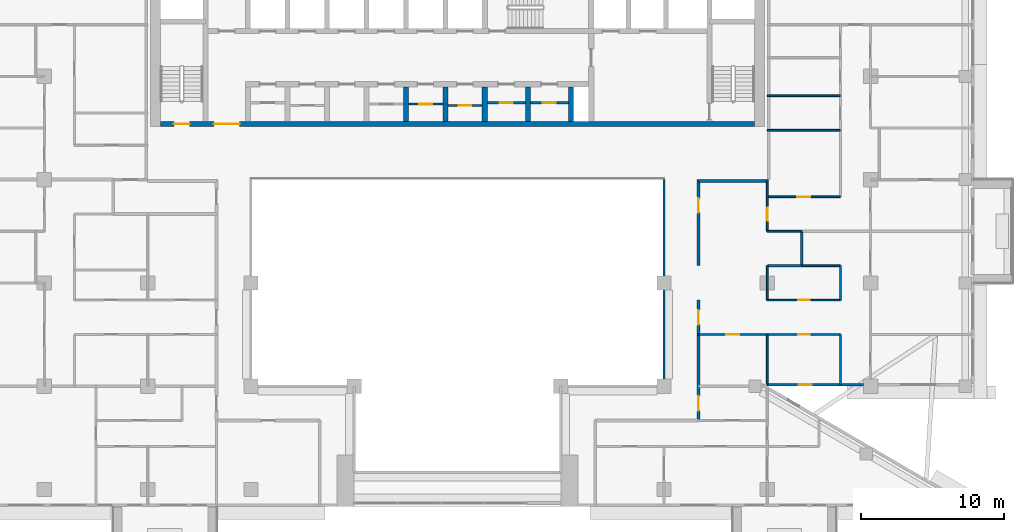
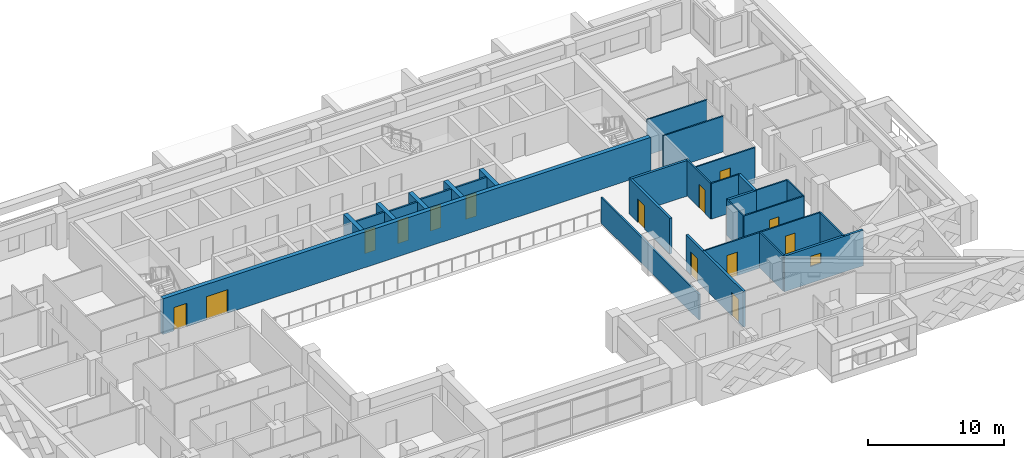
# One storey, part 9 of 20: 29 walls, 14 doors, 1 window, 15 openings.
"""IFC4 building model written with IfcOpenShell, lengths in metres."""

from ifc_helpers import new_model, si_unit, direction, frame, frame_2d, origin, place, context, subcontext, project, spatial, rectangle, extrude, material, layer, layer_set, type_object, element, fill, save


model = new_model("IFC4")

# Units and contexts
model_context = context("Model", 3, precision=1e-05, world=origin(), true_north=direction((0.0, 1.0)))
body_context = subcontext(model_context, "Body", "Model", "MODEL_VIEW")
ifc_project = project(units=[si_unit("LENGTHUNIT", "METRE"), si_unit("AREAUNIT", "SQUARE_METRE"), si_unit("VOLUMEUNIT", "CUBIC_METRE"), si_unit("PLANEANGLEUNIT", "RADIAN"), si_unit("MASSUNIT", "GRAM", prefix="KILO")], contexts=[model_context])

# Site, building, storey
site_placement = place(None, origin())
site = spatial("IfcSite", under=ifc_project, at=site_placement, CompositionType="ELEMENT")
building_placement = place(site_placement, origin())
building = spatial("IfcBuilding", under=site, at=building_placement, Name="Saffron Iwan Residences", CompositionType="ELEMENT")
storey_placement = place(building_placement, frame((0.0, 0.0, 146.5)))
storey = spatial("IfcBuildingStorey", under=building, at=storey_placement, Name="L38", CompositionType="ELEMENT", Elevation=146.5)

# Wall
ifc_material_1 = material(Name="Fire-rated glazing", Category="glass")
ifc_layer_1 = layer(ifc_material_1, 0.14990234375)
ifc_layer_set_1 = layer_set([ifc_layer_1], Name="Fire-rated glazing")
wall_type_1 = type_object("IfcWallType", Name="Atrium glazed screen 150", PredefinedType="SOLIDWALL", material=ifc_layer_set_1)
wall_1_placement = place(storey_placement, frame((64.800048828125, 48.0, 0.0), z_axis=(0.0, 0.0, 1.0), x_axis=(0.0, 1.0, 0.0)))
element("IfcWall", 1, at=wall_1_placement, inside=storey, type_object=wall_type_1, Name="W-L38-SCREEN-v64.8-48", PredefinedType="SOLIDWALL", context=body_context, shape_type="SweptSolid", body=[
    extrude(rectangle(XDim=14.39990234375, YDim=0.14990234375, at=frame_2d((7.199951171875, 0.0))), origin(), (0.0, 0.0, 1.0), 2.300048828125),
])

# Wall, opening, door
ifc_material_2 = material(Name="Fire-rated plasterboard partition")
ifc_layer_2 = layer(ifc_material_2, 0.14990234375)
ifc_layer_set_2 = layer_set([ifc_layer_2], Name="Fire-rated plasterboard partition")
wall_type_2 = type_object("IfcWallType", Name="Core partition 150", PredefinedType="PARTITIONING", material=ifc_layer_set_2)
wall_2_placement = place(storey_placement, frame((46.97509765625, 67.66259765625, 0.0), z_axis=(0.0, 0.0, 1.0), x_axis=(1.0, 0.0, 0.0)))
wall_2 = element("IfcWall", 2, at=wall_2_placement, inside=storey, type_object=wall_type_2, Name="Core partition P04", PredefinedType="PARTITIONING", context=body_context, shape_type="SweptSolid", body=[
    extrude(rectangle(XDim=2.39990234375, YDim=0.14990234375, at=frame_2d((1.199951171875, 0.0))), origin(), (0.0, 0.0, 1.0), 3.199951171875),
])
opening_1_placement = place(wall_2_placement, frame((0.75, 0.0, 0.0)))
opening_1 = element("IfcOpeningElement", 3, at=opening_1_placement, cuts=wall_2, Name="Opening SB", PredefinedType="OPENING", context=body_context, shape_type="SweptSolid", body=[
    extrude(rectangle(XDim=0.89990234375, YDim=2.10009765625, at=frame_2d((0.449951171875, 1.050048828125))), frame((0.0, 0.0849609375, 0.0), z_axis=(0.0, -1.0, 0.0), x_axis=(1.0, 0.0, 0.0)), (0.0, 0.0, 1.0), 0.169921875),
])
ifc_material_3 = material(Name="Steel fire door", Category="steel")
door_type_1 = type_object("IfcDoorType", Name="Store door 900", OperationType="NOTDEFINED", PredefinedType="DOOR", material=ifc_material_3)
door_1_placement = place(opening_1_placement, origin())
door_1 = element("IfcDoor", 4, at=door_1_placement, inside=storey, type_object=door_type_1, Name="Door Mop store", OperationType="SINGLE_SWING_RIGHT", OverallHeight=2.10009765625, OverallWidth=0.89990234375, PredefinedType="DOOR", context=body_context, shape_type="SweptSolid", body=[
    extrude(rectangle(XDim=0.89990234375, YDim=2.10009765625, at=frame_2d((0.449951171875, 1.050048828125))), frame((0.0, 0.02490234375, 0.0), z_axis=(0.0, -1.0, 0.0), x_axis=(1.0, 0.0, 0.0)), (0.0, 0.0, 1.0), 0.050048828125),
])
fill(opening_1, door_1)

wall_3_placement = place(storey_placement, frame((49.72509765625, 67.5654296875, 0.0), z_axis=(0.0, 0.0, 1.0), x_axis=(1.0, 0.0, 0.0)))
wall_3 = element("IfcWall", 5, at=wall_3_placement, inside=storey, type_object=wall_type_2, Name="Core partition P05", PredefinedType="PARTITIONING", context=body_context, shape_type="SweptSolid", body=[
    extrude(rectangle(XDim=2.39990234375, YDim=0.14990234375, at=frame_2d((1.199951171875, 0.0))), origin(), (0.0, 0.0, 1.0), 3.199951171875),
])
opening_2_placement = place(wall_3_placement, frame((0.75, 0.0, 0.0)))
opening_2 = element("IfcOpeningElement", 6, at=opening_2_placement, cuts=wall_3, Name="Opening SB", PredefinedType="OPENING", context=body_context, shape_type="SweptSolid", body=[
    extrude(rectangle(XDim=0.89990234375, YDim=2.10009765625, at=frame_2d((0.449951171875, 1.050048828125))), frame((0.0, 0.0849609375, 0.0), z_axis=(0.0, -1.0, 0.0), x_axis=(1.0, 0.0, 0.0)), (0.0, 0.0, 1.0), 0.169921875),
])
door_2_placement = place(opening_2_placement, origin())
door_2 = element("IfcDoor", 7, at=door_2_placement, inside=storey, type_object=door_type_1, Name="Door Spares store", OperationType="SINGLE_SWING_LEFT", OverallHeight=2.10009765625, OverallWidth=0.89990234375, PredefinedType="DOOR", context=body_context, shape_type="SweptSolid", body=[
    extrude(rectangle(XDim=0.89990234375, YDim=2.10009765625, at=frame_2d((0.449951171875, 1.050048828125))), frame((0.0, 0.02490234375, 0.0), z_axis=(0.0, -1.0, 0.0), x_axis=(1.0, 0.0, 0.0)), (0.0, 0.0, 1.0), 0.050048828125),
])
fill(opening_2, door_2)

wall_4_placement = place(storey_placement, frame((52.47509765625, 67.759521484375, 0.0), z_axis=(0.0, 0.0, 1.0), x_axis=(1.0, 0.0, 0.0)))
wall_4 = element("IfcWall", 8, at=wall_4_placement, inside=storey, type_object=wall_type_2, Name="Core partition P06", PredefinedType="PARTITIONING", context=body_context, shape_type="SweptSolid", body=[
    extrude(rectangle(XDim=2.64990234375, YDim=0.14990234375, at=frame_2d((1.324951171875, 0.0))), origin(), (0.0, 0.0, 1.0), 3.199951171875),
])
opening_3_placement = place(wall_4_placement, frame((0.875, 0.0, 0.0)))
opening_3 = element("IfcOpeningElement", 9, at=opening_3_placement, cuts=wall_4, Name="Opening SB", PredefinedType="OPENING", context=body_context, shape_type="SweptSolid", body=[
    extrude(rectangle(XDim=0.89990234375, YDim=2.10009765625, at=frame_2d((0.449951171875, 1.050048828125))), frame((0.0, 0.0849609375, 0.0), z_axis=(0.0, -1.0, 0.0), x_axis=(1.0, 0.0, 0.0)), (0.0, 0.0, 1.0), 0.169921875),
])
door_3_placement = place(opening_3_placement, origin())
door_3 = element("IfcDoor", 10, at=door_3_placement, inside=storey, type_object=door_type_1, Name="Door Tool store", OperationType="SINGLE_SWING_LEFT", OverallHeight=2.10009765625, OverallWidth=0.89990234375, PredefinedType="DOOR", context=body_context, shape_type="SweptSolid", body=[
    extrude(rectangle(XDim=0.89990234375, YDim=2.10009765625, at=frame_2d((0.449951171875, 1.050048828125))), frame((0.0, 0.02490234375, 0.0), z_axis=(0.0, -1.0, 0.0), x_axis=(1.0, 0.0, 0.0)), (0.0, 0.0, 1.0), 0.050048828125),
])
fill(opening_3, door_3)

wall_5_placement = place(storey_placement, frame((55.47509765625, 67.759521484375, 0.0), z_axis=(0.0, 0.0, 1.0), x_axis=(1.0, 0.0, 0.0)))
wall_5 = element("IfcWall", 11, at=wall_5_placement, inside=storey, type_object=wall_type_2, Name="Core partition P07", PredefinedType="PARTITIONING", context=body_context, shape_type="SweptSolid", body=[
    extrude(rectangle(XDim=2.64990234375, YDim=0.14990234375, at=frame_2d((1.324951171875, 0.0))), origin(), (0.0, 0.0, 1.0), 3.199951171875),
])
opening_4_placement = place(wall_5_placement, frame((0.875, 0.0, 0.0)))
opening_4 = element("IfcOpeningElement", 12, at=opening_4_placement, cuts=wall_5, Name="Opening SB", PredefinedType="OPENING", context=body_context, shape_type="SweptSolid", body=[
    extrude(rectangle(XDim=0.89990234375, YDim=2.10009765625, at=frame_2d((0.449951171875, 1.050048828125))), frame((0.0, 0.0849609375, 0.0), z_axis=(0.0, -1.0, 0.0), x_axis=(1.0, 0.0, 0.0)), (0.0, 0.0, 1.0), 0.169921875),
])
door_4_placement = place(opening_4_placement, origin())
door_4 = element("IfcDoor", 13, at=door_4_placement, inside=storey, type_object=door_type_1, Name="Door Cabling room", OperationType="SINGLE_SWING_LEFT", OverallHeight=2.10009765625, OverallWidth=0.89990234375, PredefinedType="DOOR", context=body_context, shape_type="SweptSolid", body=[
    extrude(rectangle(XDim=0.89990234375, YDim=2.10009765625, at=frame_2d((0.449951171875, 1.050048828125))), frame((0.0, 0.02490234375, 0.0), z_axis=(0.0, -1.0, 0.0), x_axis=(1.0, 0.0, 0.0)), (0.0, 0.0, 1.0), 0.050048828125),
])
fill(opening_4, door_4)

# Wall, opening, window
ifc_material_4 = material(Name="Concrete C40/50", Category="concrete")
ifc_layer_3 = layer(ifc_material_4, 0.199951171875)
ifc_layer_set_3 = layer_set([ifc_layer_3], Name="Concrete C40/50")
wall_type_3 = type_object("IfcWallType", Name="EXTERNAL WALL 200", PredefinedType="SOLIDWALL", material=ifc_layer_set_3)
wall_6_placement = place(storey_placement, frame((71.989990234375, 48.10009765625, 0.0), z_axis=(0.0, 0.0, 1.0), x_axis=(1.0, 0.0, 0.0)))
wall_6 = element("IfcWall", 14, at=wall_6_placement, inside=storey, type_object=wall_type_3, Name="External wall L38 F1.0", PredefinedType="SOLIDWALL", context=body_context, shape_type="SweptSolid", body=[
    extrude(rectangle(XDim=6.7099609375, YDim=0.199951171875, at=frame_2d((3.35498046875, 0.0))), origin(), (0.0, 0.0, 1.0), 3.199951171875),
])
opening_5_placement = place(wall_6_placement, frame((2.204833984375, 0.0, 1.5)))
opening_5 = element("IfcOpeningElement", 15, at=opening_5_placement, cuts=wall_6, Name="Opening W6", PredefinedType="OPENING", context=body_context, shape_type="SweptSolid", body=[
    extrude(rectangle(XDim=0.89990234375, YDim=0.89990234375, at=frame_2d((0.449951171875, 0.449951171875))), frame((0.0, 0.10986328125, 0.0), z_axis=(0.0, -1.0, 0.0), x_axis=(1.0, 0.0, 0.0)), (0.0, 0.0, 1.0), 0.219970703125),
])
ifc_material_5 = material(Name="Clear glass, laminated double glazed", Category="glass")
window_type = type_object("IfcWindowType", Name="WINDOW 900 x 900 BATH", PartitioningType="SINGLE_PANEL", PredefinedType="WINDOW", material=ifc_material_5)
window_placement = place(opening_5_placement, origin())
window = element("IfcWindow", 16, at=window_placement, inside=storey, type_object=window_type, Name="Window L38 F1.0", OverallHeight=0.89990234375, OverallWidth=0.89990234375, PartitioningType="SINGLE_PANEL", PredefinedType="WINDOW", context=body_context, shape_type="SweptSolid", body=[
    extrude(rectangle(XDim=0.89990234375, YDim=0.89990234375, at=frame_2d((0.449951171875, 0.449951171875))), frame((0.0, 0.030029296875, 0.0), z_axis=(0.0, -1.0, 0.0), x_axis=(1.0, 0.0, 0.0)), (0.0, 0.0, 1.0), 0.06005859375),
])
fill(opening_5, window)

# Walls
ifc_material_6 = material(Name="Fire-rated gypsum board wall")
ifc_layer_4 = layer(ifc_material_6, 0.199951171875)
ifc_layer_set_4 = layer_set([ifc_layer_4], Name="Fire-rated gypsum board wall")
wall_type_4 = type_object("IfcWallType", Name="Flat demising wall 200", PredefinedType="SOLIDWALL", material=ifc_layer_set_4)
wall_7_placement = place(storey_placement, frame((72.0, 56.39990234375, 0.0), z_axis=(0.0, 0.0, 1.0), x_axis=(1.0, 0.0, 0.0)))
element("IfcWall", 17, at=wall_7_placement, inside=storey, type_object=wall_type_4, Name="W-L38-DEMISE-h56.4-72", PredefinedType="SOLIDWALL", context=body_context, shape_type="SweptSolid", body=[
    extrude(rectangle(XDim=2.39990234375, YDim=0.199951171875, at=frame_2d((1.199951171875, 0.0))), origin(), (0.0, 0.0, 1.0), 3.199951171875),
])
wall_8_placement = place(storey_placement, frame((74.39990234375, 56.39990234375, 0.0), z_axis=(0.0, 0.0, 1.0), x_axis=(0.0, 1.0, 0.0)))
element("IfcWall", 18, at=wall_8_placement, inside=storey, type_object=wall_type_4, Name="W-L38-DEMISE-v74.4-56.4", PredefinedType="SOLIDWALL", context=body_context, shape_type="SweptSolid", body=[
    extrude(rectangle(XDim=2.400146484375, YDim=0.199951171875, at=frame_2d((1.2001953125, 0.0))), origin(), (0.0, 0.0, 1.0), 3.199951171875),
])

# Wall, openings, doors
ifc_material_7 = material(Name="Gypsum board partition")
ifc_layer_5 = layer(ifc_material_7, 0.1201171875)
ifc_layer_set_5 = layer_set([ifc_layer_5], Name="Gypsum board partition")
wall_type_5 = type_object("IfcWallType", Name="Flat partition 120", PredefinedType="PARTITIONING", material=ifc_layer_set_5)
wall_9_placement = place(storey_placement, frame((67.199951171875, 51.60009765625, 0.0), z_axis=(0.0, 0.0, 1.0), x_axis=(1.0, 0.0, 0.0)))
wall_9 = element("IfcWall", 19, at=wall_9_placement, inside=storey, type_object=wall_type_5, Name="W-L38-PART-h51.6-67.2", PredefinedType="PARTITIONING", context=body_context, shape_type="SweptSolid", body=[
    extrude(rectangle(XDim=9.900146484375, YDim=0.1201171875, at=frame_2d((4.9501953125, 0.0))), origin(), (0.0, 0.0, 1.0), 3.199951171875),
])
opening_6_placement = place(wall_9_placement, frame((6.949951171875, 0.0, 0.0)))
opening_6 = element("IfcOpeningElement", 20, at=opening_6_placement, cuts=wall_9, Name="Opening FD3", PredefinedType="OPENING", context=body_context, shape_type="SweptSolid", body=[
    extrude(rectangle(XDim=0.800048828125, YDim=2.10009765625, at=frame_2d((0.39990234375, 1.050048828125))), frame((0.0, 0.070068359375, 0.0), z_axis=(0.0, -1.0, 0.0), x_axis=(1.0, 0.0, 0.0)), (0.0, 0.0, 1.0), 0.14013671875),
])
opening_7_placement = place(wall_9_placement, frame((1.949951171875, 0.0, 0.0)))
opening_7 = element("IfcOpeningElement", 21, at=opening_7_placement, cuts=wall_9, Name="Opening FD2", PredefinedType="OPENING", context=body_context, shape_type="SweptSolid", body=[
    extrude(rectangle(XDim=0.89990234375, YDim=2.10009765625, at=frame_2d((0.449951171875, 1.050048828125))), frame((0.0, 0.070068359375, 0.0), z_axis=(0.0, -1.0, 0.0), x_axis=(1.0, 0.0, 0.0)), (0.0, 0.0, 1.0), 0.14013671875),
])
ifc_material_8 = material(Name="Timber door", Category="wood")
door_type_2 = type_object("IfcDoorType", Name="Bathroom door 800", OperationType="NOTDEFINED", PredefinedType="DOOR", material=ifc_material_8)
door_5_placement = place(opening_6_placement, origin())
door_5 = element("IfcDoor", 22, at=door_5_placement, inside=storey, type_object=door_type_2, Name="Door L38-019", OperationType="SINGLE_SWING_LEFT", OverallHeight=2.10009765625, OverallWidth=0.800048828125, PredefinedType="DOOR", context=body_context, shape_type="SweptSolid", body=[
    extrude(rectangle(XDim=0.800048828125, YDim=2.10009765625, at=frame_2d((0.39990234375, 1.050048828125))), frame((0.0, 0.02490234375, 0.0), z_axis=(0.0, -1.0, 0.0), x_axis=(1.0, 0.0, 0.0)), (0.0, 0.0, 1.0), 0.050048828125),
])
fill(opening_6, door_5)
door_type_3 = type_object("IfcDoorType", Name="Flat door 900", OperationType="NOTDEFINED", PredefinedType="DOOR", material=ifc_material_8)
door_6_placement = place(opening_7_placement, origin())
door_6 = element("IfcDoor", 23, at=door_6_placement, inside=storey, type_object=door_type_3, Name="Door L38-021", OperationType="SINGLE_SWING_LEFT", OverallHeight=2.10009765625, OverallWidth=0.89990234375, PredefinedType="DOOR", context=body_context, shape_type="SweptSolid", body=[
    extrude(rectangle(XDim=0.89990234375, YDim=2.10009765625, at=frame_2d((0.449951171875, 1.050048828125))), frame((0.0, 0.02490234375, 0.0), z_axis=(0.0, -1.0, 0.0), x_axis=(1.0, 0.0, 0.0)), (0.0, 0.0, 1.0), 0.050048828125),
])
fill(opening_7, door_6)

# Wall, opening, door
wall_10_placement = place(storey_placement, frame((72.0, 54.0, 0.0), z_axis=(0.0, 0.0, 1.0), x_axis=(1.0, 0.0, 0.0)))
wall_10 = element("IfcWall", 24, at=wall_10_placement, inside=storey, type_object=wall_type_5, Name="W-L38-PART-h54-72", PredefinedType="PARTITIONING", context=body_context, shape_type="SweptSolid", body=[
    extrude(rectangle(XDim=5.10009765625, YDim=0.1201171875, at=frame_2d((2.550048828125, 0.0))), origin(), (0.0, 0.0, 1.0), 3.199951171875),
])
opening_8_placement = place(wall_10_placement, frame((2.14990234375, 0.0, 0.0)))
opening_8 = element("IfcOpeningElement", 25, at=opening_8_placement, cuts=wall_10, Name="Opening FD3", PredefinedType="OPENING", context=body_context, shape_type="SweptSolid", body=[
    extrude(rectangle(XDim=0.800048828125, YDim=2.10009765625, at=frame_2d((0.39990234375, 1.050048828125))), frame((0.0, 0.070068359375, 0.0), z_axis=(0.0, -1.0, 0.0), x_axis=(1.0, 0.0, 0.0)), (0.0, 0.0, 1.0), 0.14013671875),
])
door_7_placement = place(opening_8_placement, origin())
door_7 = element("IfcDoor", 26, at=door_7_placement, inside=storey, type_object=door_type_2, Name="Door L38-020", OperationType="SINGLE_SWING_RIGHT", OverallHeight=2.10009765625, OverallWidth=0.800048828125, PredefinedType="DOOR", context=body_context, shape_type="SweptSolid", body=[
    extrude(rectangle(XDim=0.800048828125, YDim=2.10009765625, at=frame_2d((0.39990234375, 1.050048828125))), frame((0.0, 0.02490234375, 0.0), z_axis=(0.0, -1.0, 0.0), x_axis=(1.0, 0.0, 0.0)), (0.0, 0.0, 1.0), 0.050048828125),
])
fill(opening_8, door_7)

# Walls
wall_11_placement = place(storey_placement, frame((74.39990234375, 56.39990234375, 0.0), z_axis=(0.0, 0.0, 1.0), x_axis=(1.0, 0.0, 0.0)))
element("IfcWall", 27, at=wall_11_placement, inside=storey, type_object=wall_type_5, Name="W-L38-PART-h56.4-74.4", PredefinedType="PARTITIONING", context=body_context, shape_type="SweptSolid", body=[
    extrude(rectangle(XDim=2.7001953125, YDim=0.1201171875, at=frame_2d((1.35009765625, 0.0))), origin(), (0.0, 0.0, 1.0), 3.199951171875),
])
wall_12_placement = place(storey_placement, frame((72.0, 58.800048828125, 0.0), z_axis=(0.0, 0.0, 1.0), x_axis=(1.0, 0.0, 0.0)))
element("IfcWall", 28, at=wall_12_placement, inside=storey, type_object=wall_type_5, Name="W-L38-PART-h58.8-72", PredefinedType="PARTITIONING", context=body_context, shape_type="SweptSolid", body=[
    extrude(rectangle(XDim=2.39990234375, YDim=0.1201171875, at=frame_2d((1.199951171875, 0.0))), origin(), (0.0, 0.0, 1.0), 3.199951171875),
])

# Wall, opening, door
wall_13_placement = place(storey_placement, frame((72.0, 61.199951171875, 0.0), z_axis=(0.0, 0.0, 1.0), x_axis=(1.0, 0.0, 0.0)))
wall_13 = element("IfcWall", 29, at=wall_13_placement, inside=storey, type_object=wall_type_5, Name="W-L38-PART-h61.2-72", PredefinedType="PARTITIONING", context=body_context, shape_type="SweptSolid", body=[
    extrude(rectangle(XDim=5.10009765625, YDim=0.1201171875, at=frame_2d((2.550048828125, 0.0))), origin(), (0.0, 0.0, 1.0), 3.199951171875),
])
opening_9_placement = place(wall_13_placement, frame((2.10009765625, 0.0, 0.0)))
opening_9 = element("IfcOpeningElement", 30, at=opening_9_placement, cuts=wall_13, Name="Opening FD2", PredefinedType="OPENING", context=body_context, shape_type="SweptSolid", body=[
    extrude(rectangle(XDim=0.89990234375, YDim=2.10009765625, at=frame_2d((0.449951171875, 1.050048828125))), frame((0.0, 0.070068359375, 0.0), z_axis=(0.0, -1.0, 0.0), x_axis=(1.0, 0.0, 0.0)), (0.0, 0.0, 1.0), 0.14013671875),
])
door_8_placement = place(opening_9_placement, origin())
door_8 = element("IfcDoor", 31, at=door_8_placement, inside=storey, type_object=door_type_3, Name="Door L38-037", OperationType="SINGLE_SWING_LEFT", OverallHeight=2.10009765625, OverallWidth=0.89990234375, PredefinedType="DOOR", context=body_context, shape_type="SweptSolid", body=[
    extrude(rectangle(XDim=0.89990234375, YDim=2.10009765625, at=frame_2d((0.449951171875, 1.050048828125))), frame((0.0, 0.02490234375, 0.0), z_axis=(0.0, -1.0, 0.0), x_axis=(1.0, 0.0, 0.0)), (0.0, 0.0, 1.0), 0.050048828125),
])
fill(opening_9, door_8)

# Walls
for number, where, z_axis, x_axis, name in (
    (32, (72.0, 65.85009765625, 0.0), (0.0, 0.0, 1.0), (1.0, 0.0, 0.0), "W-L38-PART-h65.85-72"),
    (33, (72.0, 68.25, 0.0), (0.0, 0.0, 1.0), (1.0, 0.0, 0.0), "W-L38-PART-h68.25-72"),
):
    element("IfcWall", number, at=place(storey_placement, frame(where, z_axis=z_axis, x_axis=x_axis)), inside=storey, type_object=wall_type_5, Name=name, PredefinedType="PARTITIONING", context=body_context, shape_type="SweptSolid", body=[
        extrude(rectangle(XDim=5.10009765625, YDim=0.1201171875, at=frame_2d((2.550048828125, 0.0))), origin(), (0.0, 0.0, 1.0), 3.199951171875),
    ])
wall_14_placement = place(storey_placement, frame((72.0, 48.125, 0.0), z_axis=(0.0, 0.0, 1.0), x_axis=(0.0, 1.0, 0.0)))
element("IfcWall", 34, at=wall_14_placement, inside=storey, type_object=wall_type_5, Name="W-L38-PART-v72-48.125", PredefinedType="PARTITIONING", context=body_context, shape_type="SweptSolid", body=[
    extrude(rectangle(XDim=3.47509765625, YDim=0.1201171875, at=frame_2d((1.737548828125, 0.0))), origin(), (0.0, 0.0, 1.0), 3.199951171875),
])
wall_15_placement = place(storey_placement, frame((72.0, 54.0, 0.0), z_axis=(0.0, 0.0, 1.0), x_axis=(0.0, 1.0, 0.0)))
element("IfcWall", 35, at=wall_15_placement, inside=storey, type_object=wall_type_5, Name="W-L38-PART-v72-54", PredefinedType="PARTITIONING", context=body_context, shape_type="SweptSolid", body=[
    extrude(rectangle(XDim=2.39990234375, YDim=0.1201171875, at=frame_2d((1.199951171875, 0.0))), origin(), (0.0, 0.0, 1.0), 3.199951171875),
])

# Wall, opening, door
wall_16_placement = place(storey_placement, frame((72.0, 58.800048828125, 0.0), z_axis=(0.0, 0.0, 1.0), x_axis=(0.0, 1.0, 0.0)))
wall_16 = element("IfcWall", 36, at=wall_16_placement, inside=storey, type_object=wall_type_5, Name="W-L38-PART-v72-58.8", PredefinedType="PARTITIONING", context=body_context, shape_type="SweptSolid", body=[
    extrude(rectangle(XDim=3.599853515625, YDim=0.1201171875, at=frame_2d((1.7998046875, 0.0))), origin(), (0.0, 0.0, 1.0), 3.199951171875),
])
opening_10_placement = place(wall_16_placement, frame((0.75, 0.0, 0.0)))
opening_10 = element("IfcOpeningElement", 37, at=opening_10_placement, cuts=wall_16, Name="Opening FD2", PredefinedType="OPENING", context=body_context, shape_type="SweptSolid", body=[
    extrude(rectangle(XDim=0.89990234375, YDim=2.10009765625, at=frame_2d((0.449951171875, 1.050048828125))), frame((0.0, 0.070068359375, 0.0), z_axis=(0.0, -1.0, 0.0), x_axis=(1.0, 0.0, 0.0)), (0.0, 0.0, 1.0), 0.14013671875),
])
door_9_placement = place(opening_10_placement, origin())
door_9 = element("IfcDoor", 38, at=door_9_placement, inside=storey, type_object=door_type_3, Name="Door L38-030", OperationType="SINGLE_SWING_LEFT", OverallHeight=2.10009765625, OverallWidth=0.89990234375, PredefinedType="DOOR", context=body_context, shape_type="SweptSolid", body=[
    extrude(rectangle(XDim=0.89990234375, YDim=2.10009765625, at=frame_2d((0.449951171875, 1.050048828125))), frame((0.0, 0.02490234375, 0.0), z_axis=(0.0, -1.0, 0.0), x_axis=(1.0, 0.0, 0.0)), (0.0, 0.0, 1.0), 0.050048828125),
])
fill(opening_10, door_9)

# Walls
wall_17_placement = place(storey_placement, frame((77.10009765625, 48.125, 0.0), z_axis=(0.0, 0.0, 1.0), x_axis=(0.0, 1.0, 0.0)))
element("IfcWall", 39, at=wall_17_placement, inside=storey, type_object=wall_type_5, Name="W-L38-PART-v77.1-48.125", PredefinedType="PARTITIONING", context=body_context, shape_type="SweptSolid", body=[
    extrude(rectangle(XDim=3.47509765625, YDim=0.1201171875, at=frame_2d((1.737548828125, 0.0))), origin(), (0.0, 0.0, 1.0), 3.199951171875),
])
wall_18_placement = place(storey_placement, frame((77.10009765625, 54.0, 0.0), z_axis=(0.0, 0.0, 1.0), x_axis=(0.0, 1.0, 0.0)))
element("IfcWall", 40, at=wall_18_placement, inside=storey, type_object=wall_type_5, Name="W-L38-PART-v77.1-54", PredefinedType="PARTITIONING", context=body_context, shape_type="SweptSolid", body=[
    extrude(rectangle(XDim=2.39990234375, YDim=0.1201171875, at=frame_2d((1.199951171875, 0.0))), origin(), (0.0, 0.0, 1.0), 3.199951171875),
])
ifc_layer_6 = layer(ifc_material_6, 0.199951171875)
ifc_layer_set_6 = layer_set([ifc_layer_6], Name="Fire-rated gypsum board wall")
wall_type_6 = type_object("IfcWallType", Name="Gallery wall 200", PredefinedType="SOLIDWALL", material=ifc_layer_set_6)
wall_19_placement = place(storey_placement, frame((67.199951171875, 62.300048828125, 0.0), z_axis=(0.0, 0.0, 1.0), x_axis=(1.0, 0.0, 0.0)))
element("IfcWall", 41, at=wall_19_placement, inside=storey, type_object=wall_type_6, Name="W-L38-CORR-h62.4-67.2", PredefinedType="SOLIDWALL", context=body_context, shape_type="SweptSolid", body=[
    extrude(rectangle(XDim=4.800048828125, YDim=0.199951171875, at=frame_2d((2.39990234375, 0.0))), origin(), (0.0, 0.0, 1.0), 3.199951171875),
])

# Wall, openings, doors
wall_20_placement = place(storey_placement, frame((67.199951171875, 45.60009765625, 0.0), z_axis=(0.0, 0.0, 1.0), x_axis=(0.0, 1.0, 0.0)))
wall_20 = element("IfcWall", 42, at=wall_20_placement, inside=storey, type_object=wall_type_6, Name="W-L38-CORR-v67.2-45.6", PredefinedType="SOLIDWALL", context=body_context, shape_type="SweptSolid", body=[
    extrude(rectangle(XDim=8.39990234375, YDim=0.199951171875, at=frame_2d((4.199951171875, 0.0))), origin(), (0.0, 0.0, 1.0), 3.199951171875),
])
opening_11_placement = place(wall_20_placement, frame((6.699951171875, 0.0, 0.0)))
opening_11 = element("IfcOpeningElement", 43, at=opening_11_placement, cuts=wall_20, Name="Opening FD1", PredefinedType="OPENING", context=body_context, shape_type="SweptSolid", body=[
    extrude(rectangle(XDim=1.0, YDim=2.10009765625, at=frame_2d((0.5, 1.050048828125))), frame((0.0, 0.10986328125, 0.0), z_axis=(0.0, -1.0, 0.0), x_axis=(1.0, 0.0, 0.0)), (0.0, 0.0, 1.0), 0.219970703125),
])
opening_12_placement = place(wall_20_placement, frame((0.699951171875, 0.0, 0.0)))
opening_12 = element("IfcOpeningElement", 44, at=opening_12_placement, cuts=wall_20, Name="Opening FD5", PredefinedType="OPENING", context=body_context, shape_type="SweptSolid", body=[
    extrude(rectangle(XDim=1.0, YDim=2.10009765625, at=frame_2d((0.5, 1.050048828125))), frame((0.0, 0.10986328125, 0.0), z_axis=(0.0, -1.0, 0.0), x_axis=(1.0, 0.0, 0.0)), (0.0, 0.0, 1.0), 0.219970703125),
])
ifc_material_9 = material(Name="Fire-rated timber door", Category="wood")
door_type_4 = type_object("IfcDoorType", Name="FD30S flat entrance door 1000", OperationType="NOTDEFINED", PredefinedType="DOOR", material=ifc_material_9)
door_10_placement = place(opening_11_placement, origin())
door_10 = element("IfcDoor", 45, at=door_10_placement, inside=storey, type_object=door_type_4, Name="Door L38-016", OperationType="SINGLE_SWING_LEFT", OverallHeight=2.10009765625, OverallWidth=1.0, PredefinedType="DOOR", context=body_context, shape_type="SweptSolid", body=[
    extrude(rectangle(XDim=1.0, YDim=2.10009765625, at=frame_2d((0.5, 1.050048828125))), frame((0.0, 0.02490234375, 0.0), z_axis=(0.0, -1.0, 0.0), x_axis=(1.0, 0.0, 0.0)), (0.0, 0.0, 1.0), 0.050048828125),
])
fill(opening_11, door_10)
door_type_5 = type_object("IfcDoorType", Name="Lobby door 1000", OperationType="NOTDEFINED", PredefinedType="DOOR", material=ifc_material_9)
door_11_placement = place(opening_12_placement, origin())
door_11 = element("IfcDoor", 46, at=door_11_placement, inside=storey, type_object=door_type_5, Name="Door L38-043", OperationType="SINGLE_SWING_LEFT", OverallHeight=2.10009765625, OverallWidth=1.0, PredefinedType="DOOR", context=body_context, shape_type="SweptSolid", body=[
    extrude(rectangle(XDim=1.0, YDim=2.10009765625, at=frame_2d((0.5, 1.050048828125))), frame((0.0, 0.02490234375, 0.0), z_axis=(0.0, -1.0, 0.0), x_axis=(1.0, 0.0, 0.0)), (0.0, 0.0, 1.0), 0.050048828125),
])
fill(opening_12, door_11)

# Wall, opening, door
wall_21_placement = place(storey_placement, frame((67.199951171875, 56.39990234375, 0.0), z_axis=(0.0, 0.0, 1.0), x_axis=(0.0, 1.0, 0.0)))
wall_21 = element("IfcWall", 47, at=wall_21_placement, inside=storey, type_object=wall_type_6, Name="W-L38-CORR-v67.2-56.4", PredefinedType="SOLIDWALL", context=body_context, shape_type="SweptSolid", body=[
    extrude(rectangle(XDim=6.0, YDim=0.199951171875, at=frame_2d((3.0, 0.0))), origin(), (0.0, 0.0, 1.0), 3.199951171875),
])
opening_13_placement = place(wall_21_placement, frame((3.699951171875, 0.0, 0.0)))
opening_13 = element("IfcOpeningElement", 48, at=opening_13_placement, cuts=wall_21, Name="Opening FD5", PredefinedType="OPENING", context=body_context, shape_type="SweptSolid", body=[
    extrude(rectangle(XDim=1.0, YDim=2.10009765625, at=frame_2d((0.5, 1.050048828125))), frame((0.0, 0.10986328125, 0.0), z_axis=(0.0, -1.0, 0.0), x_axis=(1.0, 0.0, 0.0)), (0.0, 0.0, 1.0), 0.219970703125),
])
door_12_placement = place(opening_13_placement, origin())
door_12 = element("IfcDoor", 49, at=door_12_placement, inside=storey, type_object=door_type_5, Name="Door L38-031", OperationType="SINGLE_SWING_LEFT", OverallHeight=2.10009765625, OverallWidth=1.0, PredefinedType="DOOR", context=body_context, shape_type="SweptSolid", body=[
    extrude(rectangle(XDim=1.0, YDim=2.10009765625, at=frame_2d((0.5, 1.050048828125))), frame((0.0, 0.02490234375, 0.0), z_axis=(0.0, -1.0, 0.0), x_axis=(1.0, 0.0, 0.0)), (0.0, 0.0, 1.0), 0.050048828125),
])
fill(opening_13, door_12)

# Wall, openings, doors
ifc_material_10 = material(Name="Concrete C50/60", Category="concrete")
ifc_layer_7 = layer(ifc_material_10, 0.35009765625)
ifc_layer_set_7 = layer_set([ifc_layer_7], Name="Concrete C50/60")
wall_type_7 = type_object("IfcWallType", Name="WALL CORE 350 C50/60 3200 HIGH", PredefinedType="SHEAR", material=ifc_layer_set_7)
wall_22_placement = place(storey_placement, frame((29.699951171875, 66.27490234375, 0.0), z_axis=(0.0, 0.0, 1.0), x_axis=(1.0, 0.0, 0.0)))
wall_22 = element("IfcWall", 50, at=wall_22_placement, inside=storey, type_object=wall_type_7, Name="Core wall", PredefinedType="SHEAR", context=body_context, shape_type="SweptSolid", body=[
    extrude(rectangle(XDim=41.400146484375, YDim=0.35009765625, at=frame_2d((20.7001953125, 0.0))), origin(), (0.0, 0.0, 1.0), 3.199951171875),
])
opening_14_placement = place(wall_22_placement, frame((0.925048828125, 0.0, 0.0)))
opening_14 = element("IfcOpeningElement", 51, at=opening_14_placement, cuts=wall_22, Name="Opening SD", PredefinedType="OPENING", context=body_context, shape_type="SweptSolid", body=[
    extrude(rectangle(XDim=1.10009765625, YDim=2.10009765625, at=frame_2d((0.550048828125, 1.050048828125))), frame((0.0, 0.18505859375, 0.0), z_axis=(0.0, -1.0, 0.0), x_axis=(1.0, 0.0, 0.0)), (0.0, 0.0, 1.0), 0.3701171875),
])
opening_15_placement = place(wall_22_placement, frame((3.71240234375, 0.0, 0.0)))
opening_15 = element("IfcOpeningElement", 52, at=opening_15_placement, cuts=wall_22, Name="Opening DD", PredefinedType="OPENING", context=body_context, shape_type="SweptSolid", body=[
    extrude(rectangle(XDim=1.800048828125, YDim=2.10009765625, at=frame_2d((0.89990234375, 1.050048828125))), frame((0.0, 0.18505859375, 0.0), z_axis=(0.0, -1.0, 0.0), x_axis=(1.0, 0.0, 0.0)), (0.0, 0.0, 1.0), 0.3701171875),
])
door_type_6 = type_object("IfcDoorType", Name="Lobby double door 1800", OperationType="DOUBLE_DOOR_SINGLE_SWING", PredefinedType="DOOR", material=ifc_material_3)
door_13_placement = place(opening_15_placement, origin())
door_13 = element("IfcDoor", 53, at=door_13_placement, inside=storey, type_object=door_type_6, Name="Lobby doors", OperationType="DOUBLE_DOOR_SINGLE_SWING", OverallHeight=2.10009765625, OverallWidth=1.800048828125, PredefinedType="DOOR", context=body_context, shape_type="SweptSolid", body=[
    extrude(rectangle(XDim=1.800048828125, YDim=2.10009765625, at=frame_2d((0.89990234375, 1.050048828125))), frame((0.0, 0.02490234375, 0.0), z_axis=(0.0, -1.0, 0.0), x_axis=(1.0, 0.0, 0.0)), (0.0, 0.0, 1.0), 0.050048828125),
])
fill(opening_15, door_13)
door_type_7 = type_object("IfcDoorType", Name="Stair door 1100", OperationType="NOTDEFINED", PredefinedType="DOOR", material=ifc_material_3)
door_14_placement = place(opening_14_placement, origin())
door_14 = element("IfcDoor", 54, at=door_14_placement, inside=storey, type_object=door_type_7, Name="Stair door ST-W", OperationType="SINGLE_SWING_LEFT", OverallHeight=2.10009765625, OverallWidth=1.10009765625, PredefinedType="DOOR", context=body_context, shape_type="SweptSolid", body=[
    extrude(rectangle(XDim=1.10009765625, YDim=2.10009765625, at=frame_2d((0.550048828125, 1.050048828125))), frame((0.0, 0.02490234375, 0.0), z_axis=(0.0, -1.0, 0.0), x_axis=(1.0, 0.0, 0.0)), (0.0, 0.0, 1.0), 0.050048828125),
])
fill(opening_14, door_14)

# Walls
for number, where, z_axis, x_axis, name in (
    (55, (46.800048828125, 66.449951171875, 0.0), (0.0, 0.0, 1.0), (0.0, 1.0, 0.0), "Core wall"),
    (56, (49.550048828125, 66.449951171875, 0.0), (0.0, 0.0, 1.0), (0.0, 1.0, 0.0), "Core wall"),
    (57, (52.300048828125, 66.449951171875, 0.0), (0.0, 0.0, 1.0), (0.0, 1.0, 0.0), "Core wall"),
    (58, (55.300048828125, 66.449951171875, 0.0), (0.0, 0.0, 1.0), (0.0, 1.0, 0.0), "Core wall"),
    (59, (58.300048828125, 66.449951171875, 0.0), (0.0, 0.0, 1.0), (0.0, 1.0, 0.0), "Core wall"),
):
    element("IfcWall", number, at=place(storey_placement, frame(where, z_axis=z_axis, x_axis=x_axis)), inside=storey, type_object=wall_type_7, Name=name, PredefinedType="SHEAR", context=body_context, shape_type="SweptSolid", body=[
        extrude(rectangle(XDim=2.425048828125, YDim=0.35009765625, at=frame_2d((1.21240234375, 0.0))), origin(), (0.0, 0.0, 1.0), 3.199951171875),
    ])

save(model, "model.ifc")
